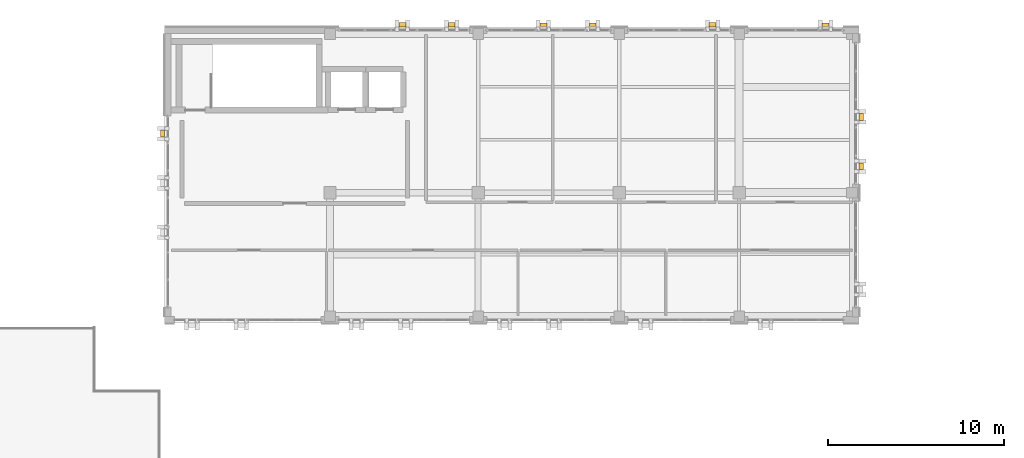
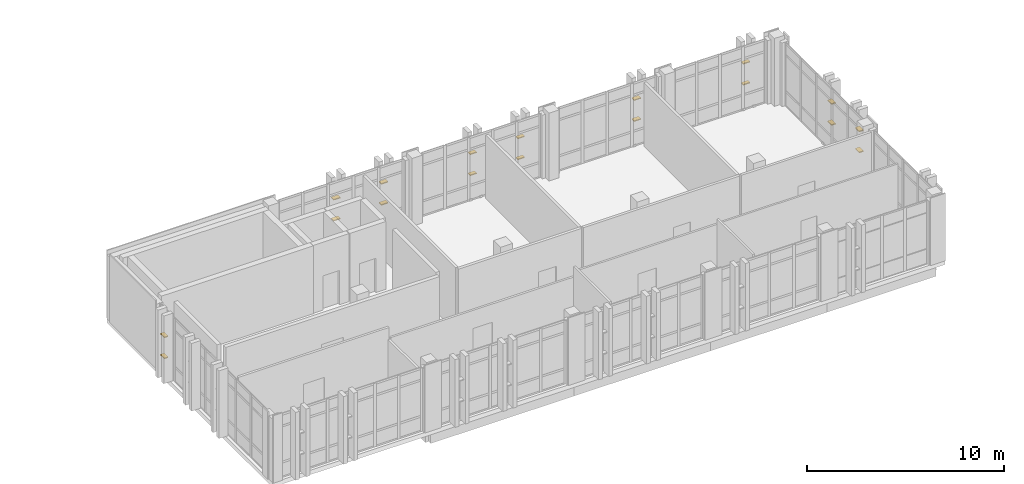
# One storey, part 77 of 77: 18 shading devices.
"""IFC4 building model written with IfcOpenShell, lengths in metres."""

from ifc_helpers import new_model, si_unit, direction, frame, origin, origin_2d, place, context, subcontext, project, spatial, rectangle, extrude, material, type_object, element, save


model = new_model("IFC4")

# Units and contexts
model_context = context("Model", 3, precision=1e-05, world=origin(), true_north=direction((0.0, 1.0)))
body_context = subcontext(model_context, "Body", "Model", "MODEL_VIEW")
ifc_project = project(units=[si_unit("LENGTHUNIT", "METRE"), si_unit("AREAUNIT", "SQUARE_METRE"), si_unit("VOLUMEUNIT", "CUBIC_METRE"), si_unit("PLANEANGLEUNIT", "RADIAN"), si_unit("MASSUNIT", "GRAM", prefix="KILO")], contexts=[model_context])

# Site, building, storey
site_placement = place(None, origin())
site = spatial("IfcSite", under=ifc_project, at=site_placement, CompositionType="ELEMENT")
building_placement = place(site_placement, origin())
building = spatial("IfcBuilding", under=site, at=building_placement, Name="Qalavern Law Courts", CompositionType="ELEMENT")
storey_placement = place(building_placement, frame((0.0, 0.0, 27.0)))
storey = spatial("IfcBuildingStorey", under=building, at=storey_placement, Name="L06", CompositionType="ELEMENT", Elevation=27.0)

# Shading devices
ifc_material = material(Name="Anodised aluminium", Category="aluminium")
shading_device_type_1 = type_object("IfcShadingDeviceType", Name="ENV-LOUV-1", PredefinedType="JALOUSIE", material=ifc_material)
for number, where, z_axis, x_axis, name in (
    (1, (56.5, 113.125, 1.34716796875), (0.0, 0.0, 1.0), (-1.0, 0.0, 0.0), "Horizontal sun louvre V5-L06-0-1"),
    (2, (56.5, 113.125, 2.645751953125), (0.0, 0.0, 1.0), (-1.0, 0.0, 0.0), "Horizontal sun louvre V5-L06-0-2"),
    (3, (43.300048828125, 113.125, 1.34716796875), (0.0, 0.0, 1.0), (-1.0, 0.0, 0.0), "Horizontal sun louvre V5-L06-0-1"),
    (4, (43.300048828125, 113.125, 2.645751953125), (0.0, 0.0, 1.0), (-1.0, 0.0, 0.0), "Horizontal sun louvre V5-L06-0-2"),
    (5, (40.5, 113.125, 1.34716796875), (0.0, 0.0, 1.0), (-1.0, 0.0, 0.0), "Horizontal sun louvre V5-L06-1-1"),
    (6, (40.5, 113.125, 2.645751953125), (0.0, 0.0, 1.0), (-1.0, 0.0, 0.0), "Horizontal sun louvre V5-L06-1-2"),
    (7, (18.89501953125, 106.949951171875, 1.34716796875), (0.0, 0.0, 1.0), (0.0, -1.0, 0.0), "Horizontal sun louvre V5-L06-0-1"),
    (8, (18.89501953125, 106.949951171875, 2.645751953125), (0.0, 0.0, 1.0), (0.0, -1.0, 0.0), "Horizontal sun louvre V5-L06-0-2"),
):
    element("IfcShadingDevice", number, at=place(storey_placement, frame(where, z_axis=z_axis, x_axis=x_axis)), inside=storey, type_object=shading_device_type_1, Name=name, PredefinedType="JALOUSIE", context=body_context, shape_type="SweptSolid", body=[
        extrude(rectangle(XDim=0.389892578125, YDim=0.2099609375, at=origin_2d()), origin(), (0.0, 0.0, 1.0), 0.06005859375),
    ])
shading_device_type_2 = type_object("IfcShadingDeviceType", Name="ENV-LOUV-2", PredefinedType="JALOUSIE", material=ifc_material)
for number, where, z_axis, x_axis, name in (
    (9, (58.52490234375, 105.10009765625, 1.34716796875), (0.0, 0.0, 1.0), (0.0, 1.0, 0.0), "Horizontal sun louvre V5-L06-0-1"),
    (10, (58.52490234375, 105.10009765625, 2.645751953125), (0.0, 0.0, 1.0), (0.0, 1.0, 0.0), "Horizontal sun louvre V5-L06-0-2"),
    (11, (58.52490234375, 107.89990234375, 1.34716796875), (0.0, 0.0, 1.0), (0.0, 1.0, 0.0), "Horizontal sun louvre V5-L06-1-1"),
    (12, (58.52490234375, 107.89990234375, 2.645751953125), (0.0, 0.0, 1.0), (0.0, 1.0, 0.0), "Horizontal sun louvre V5-L06-1-2"),
    (13, (50.10009765625, 113.125, 1.34716796875), (0.0, 0.0, 1.0), (-1.0, 0.0, 0.0), "Horizontal sun louvre V5-L06-0-1"),
    (14, (50.10009765625, 113.125, 2.645751953125), (0.0, 0.0, 1.0), (-1.0, 0.0, 0.0), "Horizontal sun louvre V5-L06-0-2"),
    (15, (35.300048828125, 113.125, 1.34716796875), (0.0, 0.0, 1.0), (-1.0, 0.0, 0.0), "Horizontal sun louvre V5-L06-0-1"),
    (16, (35.300048828125, 113.125, 2.645751953125), (0.0, 0.0, 1.0), (-1.0, 0.0, 0.0), "Horizontal sun louvre V5-L06-0-2"),
    (17, (32.5, 113.125, 1.34716796875), (0.0, 0.0, 1.0), (-1.0, 0.0, 0.0), "Horizontal sun louvre V5-L06-1-1"),
    (18, (32.5, 113.125, 2.645751953125), (0.0, 0.0, 1.0), (-1.0, 0.0, 0.0), "Horizontal sun louvre V5-L06-1-2"),
):
    element("IfcShadingDevice", number, at=place(storey_placement, frame(where, z_axis=z_axis, x_axis=x_axis)), inside=storey, type_object=shading_device_type_2, Name=name, PredefinedType="JALOUSIE", context=body_context, shape_type="SweptSolid", body=[
        extrude(rectangle(XDim=0.389892578125, YDim=0.25, at=origin_2d()), origin(), (0.0, 0.0, 1.0), 0.06005859375),
    ])

save(model, "model.ifc")
